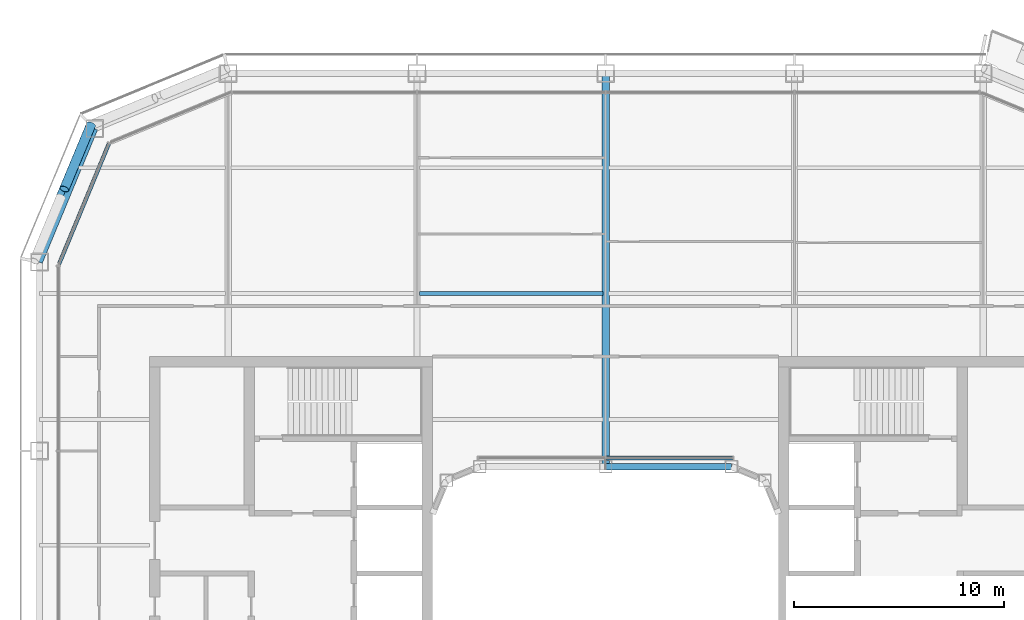
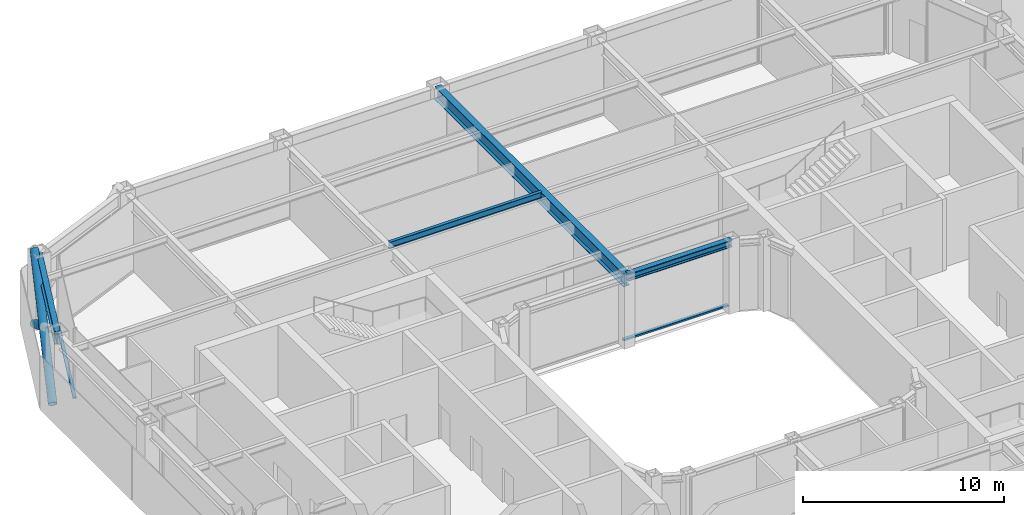
# One storey, part 7 of 23: 4 beams, 4 members, 2 elements without a shape of their own.
"""IFC4 building model written with IfcOpenShell, lengths in metres."""

from ifc_helpers import new_model, si_unit, direction, frame, origin, origin_2d, place, context, subcontext, project, spatial, rectangle, hollow_circle, i_section, extrude, material, layer, layer_set, material_profile, profile_set, type_object, element, aggregate, save


model = new_model("IFC4")

# Units and contexts
model_context = context("Model", 3, precision=1e-05, world=origin(), true_north=direction((0.0, 1.0)))
body_context = subcontext(model_context, "Body", "Model", "MODEL_VIEW")
ifc_project = project(units=[si_unit("LENGTHUNIT", "METRE"), si_unit("AREAUNIT", "SQUARE_METRE"), si_unit("VOLUMEUNIT", "CUBIC_METRE"), si_unit("PLANEANGLEUNIT", "RADIAN"), si_unit("MASSUNIT", "GRAM", prefix="KILO")], contexts=[model_context])

# Site, building, storey
site_placement = place(None, origin())
site = spatial("IfcSite", under=ifc_project, at=site_placement, CompositionType="ELEMENT")
building_placement = place(site_placement, origin())
building = spatial("IfcBuilding", under=site, at=building_placement, Name="Siwar Civic Tower", CompositionType="ELEMENT")
storey_placement = place(building_placement, frame((0.0, 0.0, 206.199951171875)))
storey = spatial("IfcBuildingStorey", under=building, at=storey_placement, Name="L44", CompositionType="ELEMENT", Elevation=206.199951171875)

# Curtain wall, member
ifc_material_1 = material(Name="Aluminium clad insulated panel", Category="aluminium")
ifc_layer_1 = layer(ifc_material_1, 0.179931640625)
ifc_layer_set_1 = layer_set([ifc_layer_1], Name="Aluminium clad insulated panel")
curtain_wall_type_1 = type_object("IfcCurtainWallType", Name="ENV-CW-CX", PredefinedType="NOTDEFINED", material=ifc_layer_set_1)
curtain_wall_1_placement = place(storey_placement, origin())
curtain_wall_1 = element("IfcCurtainWall", 1, at=curtain_wall_1_placement, inside=storey, type_object=curtain_wall_type_1, Name="Curtain wall C NW2", PredefinedType="NOTDEFINED")
ifc_material_2 = material(Name="Aluminium 6063-T6", Category="aluminium")
ifc_material_profile_1 = material_profile(ifc_material_2, rectangle(XDim=0.179931640625, YDim=0.10009765625, at=origin_2d()), Name="AL 180x100")
ifc_profile_set_1 = profile_set([ifc_material_profile_1], Name="Aluminium 6063-T6")
member_type_1 = type_object("IfcMemberType", Name="ENV-TRANSOM-C", PredefinedType="USERDEFINED", material=ifc_profile_set_1)
member_1_placement = place(storey_placement, frame((-23.6865234375, 23.6474609375, 0.050048828125), z_axis=(-0.382691366456, -0.923876246063, 0.0), x_axis=(0.923876246063, -0.382691366456, 0.0)))
member_1 = element("IfcMember", 2, at=member_1_placement, type_object=member_type_1, Name="Transom C NW2 1", ObjectType="TRANSOM", PredefinedType="USERDEFINED", context=body_context, shape_type="SweptSolid", body=[
    extrude(rectangle(XDim=0.179931640625, YDim=0.10009765625, at=origin_2d()), origin(), (0.0, 0.0, 1.0), 6.20166015625),
])
aggregate(curtain_wall_1, [member_1])

ifc_material_3 = material(Name="Aluminium and glass", Category="aluminium")
ifc_layer_2 = layer(ifc_material_3, 0.179931640625)
ifc_layer_set_2 = layer_set([ifc_layer_2], Name="Aluminium and glass")
curtain_wall_type_2 = type_object("IfcCurtainWallType", Name="ENV-CW-W", PredefinedType="NOTDEFINED", material=ifc_layer_set_2)
curtain_wall_2_placement = place(storey_placement, origin())
curtain_wall_2 = element("IfcCurtainWall", 3, at=curtain_wall_2_placement, inside=storey, type_object=curtain_wall_type_2, Name="Curtain wall W WN", PredefinedType="NOTDEFINED")
ifc_material_4 = material(Name="Aluminium 6063-T6", Category="aluminium")
ifc_material_profile_2 = material_profile(ifc_material_4, rectangle(XDim=0.179931640625, YDim=0.10009765625, at=origin_2d()), Name="AL 180x100")
ifc_profile_set_2 = profile_set([ifc_material_profile_2], Name="Aluminium 6063-T6")
member_type_2 = type_object("IfcMemberType", Name="ENV-TRANSOM-W", PredefinedType="USERDEFINED", material=ifc_profile_set_2)
member_2_placement = place(storey_placement, frame((6.051513671875, 8.659912109375, 0.050048828125), z_axis=(-1.0, 0.0, 0.0), x_axis=(0.0, -1.0, 0.0)))
member_2 = element("IfcMember", 4, at=member_2_placement, type_object=member_type_2, Name="Transom W WN 1", ObjectType="TRANSOM", PredefinedType="USERDEFINED", context=body_context, shape_type="SweptSolid", body=[
    extrude(rectangle(XDim=0.179931640625, YDim=0.10009765625, at=origin_2d()), origin(), (0.0, 0.0, 1.0), 6.021484375),
])
aggregate(curtain_wall_2, [member_2])

# Members
ifc_material_5 = material(Name="Steel S355", Category="steel")
ifc_material_profile_3 = material_profile(ifc_material_5, hollow_circle(Radius=0.228515625, WallThickness=0.02001953125, at=origin_2d()), Name="CHS457x20")
ifc_profile_set_3 = profile_set([ifc_material_profile_3], Name="Steel S355")
member_type_3 = type_object("IfcMemberType", Name="STR-BR-CHS457x20", PredefinedType="BRACE", material=ifc_profile_set_3)
member_3_placement = place(storey_placement, frame((-27.2451171875, 18.048828125, 0.0), z_axis=(0.323905527954, 0.777554562952, 0.538975055633), x_axis=(-0.923108759191, 0.384538969033, 0.0)))
element("IfcMember", 5, at=member_3_placement, inside=storey, type_object=member_type_3, Name="L44/brc/CNW1-4-0-1", PredefinedType="BRACE", context=body_context, shape_type="SweptSolid", body=[
    extrude(hollow_circle(Radius=0.228515625, WallThickness=0.02001953125, at=origin_2d()), origin(), (0.0, 0.0, 1.0), 8.34912109375),
])
member_4_placement = place(storey_placement, frame((-24.540771484375, 24.540771484375, 0.0), z_axis=(-0.323884455881, -0.777546448489, 0.538999424564), x_axis=(0.92311621485, -0.38452107079, 0.0)))
element("IfcMember", 6, at=member_4_placement, inside=storey, type_object=member_type_3, Name="L44/brc/CNW1-4-0-2", PredefinedType="BRACE", context=body_context, shape_type="SweptSolid", body=[
    extrude(hollow_circle(Radius=0.228515625, WallThickness=0.02001953125, at=origin_2d()), origin(), (0.0, 0.0, 1.0), 3.927978515625),
])

# Beams
ifc_material_6 = material(Name="Steel S355", Category="steel")
ifc_material_profile_4 = material_profile(ifc_material_6, i_section(OverallWidth=0.179931640625, OverallDepth=0.39990234375, WebThickness=0.008544921875, FlangeThickness=0.013427734375, FilletRadius=0.02099609375, at=origin_2d()), Name="IPE400")
ifc_profile_set_4 = profile_set([ifc_material_profile_4], Name="Steel S355")
beam_type_1 = type_object("IfcBeamType", Name="STR-FB-IPE400", PredefinedType="JOIST", material=ifc_profile_set_4)
beam_1_placement = place(storey_placement, frame((-8.8701171875, 16.5, 4.150146484375), z_axis=(1.0, 0.0, 0.0), x_axis=(0.0, 1.0, 0.0)))
element("IfcBeam", 7, at=beam_1_placement, inside=storey, type_object=beam_type_1, Name="L44/bm/F033", PredefinedType="JOIST", context=body_context, shape_type="SweptSolid", body=[
    extrude(i_section(OverallWidth=0.179931640625, OverallDepth=0.39990234375, WebThickness=0.008544921875, FlangeThickness=0.013427734375, FilletRadius=0.02099609375, at=origin_2d()), origin(), (0.0, 0.0, 1.0), 8.740234375),
])
ifc_material_7 = material(Name="Steel S355", Category="steel")
ifc_material_profile_5 = material_profile(ifc_material_7, i_section(OverallWidth=0.360107421875, OverallDepth=0.800048828125, WebThickness=0.013916015625, FlangeThickness=0.031982421875, at=origin_2d()), Name="PG800x360x14x32")
ifc_profile_set_5 = profile_set([ifc_material_profile_5], Name="Steel S355")
beam_type_2 = type_object("IfcBeamType", Name="STR-PG-PG800x360x14x32", PredefinedType="BEAM", material=ifc_profile_set_5)
beam_2_placement = place(storey_placement, frame((0.0, 8.25, 3.949951171875), z_axis=(0.0, 1.0, 0.0), x_axis=(-1.0, 0.0, 0.0)))
element("IfcBeam", 8, at=beam_2_placement, inside=storey, type_object=beam_type_2, Name="L44/bm/G06", PredefinedType="BEAM", context=body_context, shape_type="SweptSolid", body=[
    extrude(i_section(OverallWidth=0.360107421875, OverallDepth=0.800048828125, WebThickness=0.013916015625, FlangeThickness=0.031982421875, at=origin_2d()), origin(), (0.0, 0.0, 1.0), 18.75),
])
ifc_material_8 = material(Name="Steel S355", Category="steel")
ifc_material_profile_6 = material_profile(ifc_material_8, i_section(OverallWidth=0.306884765625, OverallDepth=0.431884765625, WebThickness=0.02099609375, FlangeThickness=0.0400390625, FilletRadius=0.027099609375, at=origin_2d()), Name="HEM400")
ifc_profile_set_6 = profile_set([ifc_material_profile_6], Name="Steel S355")
beam_type_3 = type_object("IfcBeamType", Name="STR-RB-HEM400", PredefinedType="BEAM", material=ifc_profile_set_6)
beam_3_placement = place(storey_placement, frame((0.0, 8.25, 4.134033203125), z_axis=(1.0, 0.0, 0.0), x_axis=(0.0, 1.0, 0.0)))
element("IfcBeam", 9, at=beam_3_placement, inside=storey, type_object=beam_type_3, Name="L44/bm/RN2", PredefinedType="BEAM", context=body_context, shape_type="SweptSolid", body=[
    extrude(i_section(OverallWidth=0.306884765625, OverallDepth=0.431884765625, WebThickness=0.02099609375, FlangeThickness=0.0400390625, FilletRadius=0.027099609375, at=origin_2d()), origin(), (0.0, 0.0, 1.0), 6.0),
])
ifc_material_9 = material(Name="Steel S355", Category="steel")
ifc_material_profile_7 = material_profile(ifc_material_9, i_section(OverallWidth=0.300048828125, OverallDepth=0.800048828125, WebThickness=0.017578125, FlangeThickness=0.032958984375, FilletRadius=0.030029296875, at=origin_2d()), Name="HEB800")
ifc_profile_set_7 = profile_set([ifc_material_profile_7], Name="Steel S355")
beam_type_4 = type_object("IfcBeamType", Name="STR-SB-HEB800", PredefinedType="BEAM", material=ifc_profile_set_7)
beam_4_placement = place(storey_placement, frame((-24.364013671875, 24.364013671875, 3.949951171875), z_axis=(-0.382674207535, -0.923883353507, 0.0), x_axis=(0.923883353507, -0.382674207535, 0.0)))
element("IfcBeam", 10, at=beam_4_placement, inside=storey, type_object=beam_type_4, Name="L44/bm/SNW2-0", PredefinedType="BEAM", context=body_context, shape_type="SweptSolid", body=[
    extrude(i_section(OverallWidth=0.300048828125, OverallDepth=0.800048828125, WebThickness=0.017578125, FlangeThickness=0.032958984375, FilletRadius=0.030029296875, at=origin_2d()), origin(), (0.0, 0.0, 1.0), 6.888427734375),
])

save(model, "model.ifc")
